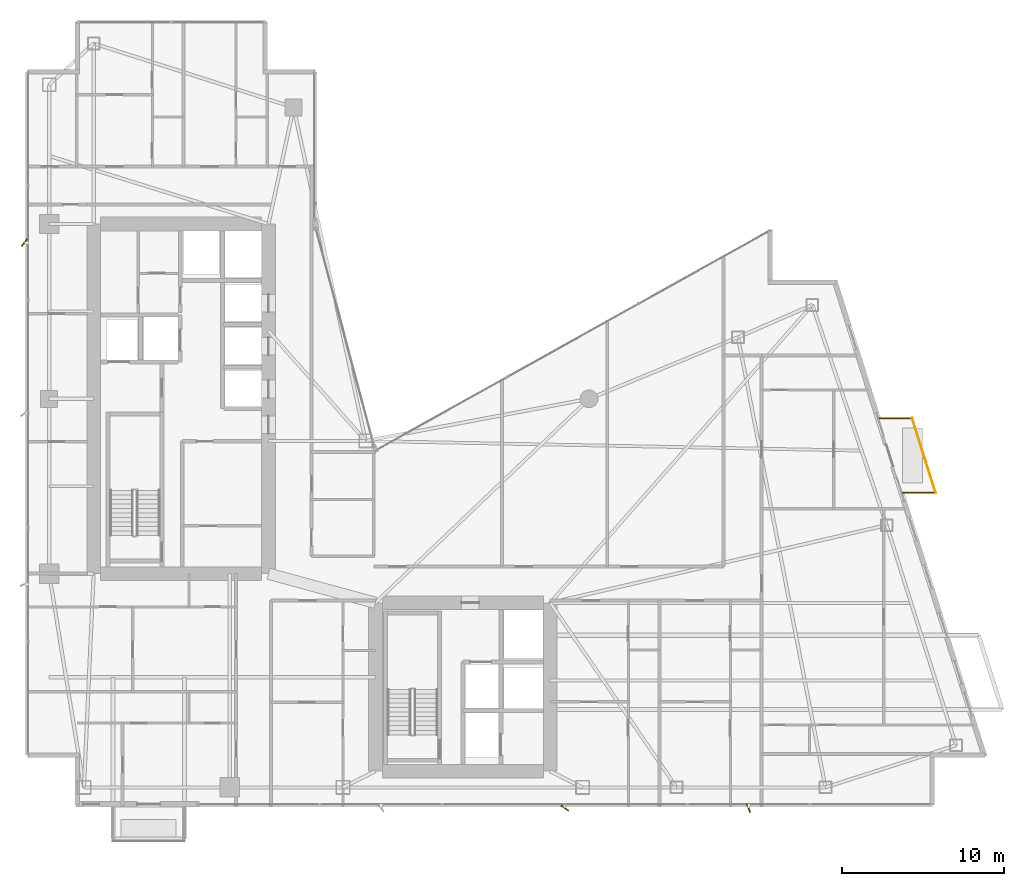
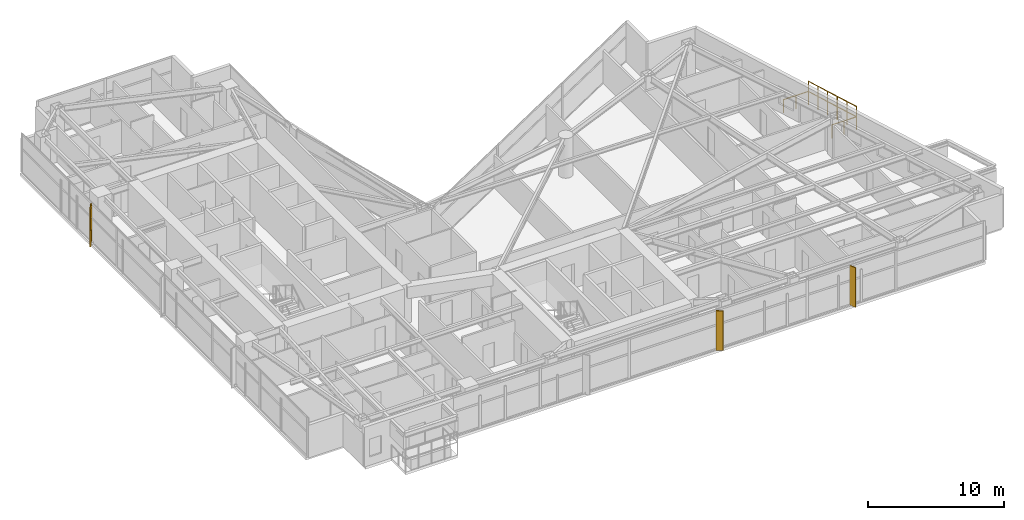
# One storey, part 29 of 29: 3 shading devices, 2 railings.
"""IFC4 building model written with IfcOpenShell, lengths in metres."""

from ifc_helpers import new_model, si_unit, direction, frame, origin, origin_2d, place, context, subcontext, project, spatial, rectangle, circle, extrude, material, type_object, element, save


model = new_model("IFC4")

# Units and contexts
model_context = context("Model", 3, precision=1e-05, world=origin(), true_north=direction((0.0, 1.0)))
body_context = subcontext(model_context, "Body", "Model", "MODEL_VIEW")
ifc_project = project(units=[si_unit("LENGTHUNIT", "METRE"), si_unit("AREAUNIT", "SQUARE_METRE"), si_unit("VOLUMEUNIT", "CUBIC_METRE"), si_unit("PLANEANGLEUNIT", "RADIAN"), si_unit("MASSUNIT", "GRAM", prefix="KILO")], contexts=[model_context])

# Site, building, storey
site_placement = place(None, origin())
site = spatial("IfcSite", under=ifc_project, at=site_placement, CompositionType="ELEMENT")
building_placement = place(site_placement, origin())
building = spatial("IfcBuilding", under=site, at=building_placement, Name="Calvorn Quay Hotel", CompositionType="ELEMENT")
storey_placement = place(building_placement, frame((0.0, 0.0, 163.699951171875)))
storey = spatial("IfcBuildingStorey", under=building, at=storey_placement, Name="L40", CompositionType="ELEMENT", Elevation=163.699951171875)

# Railings
ifc_material_1 = material(Name="Pale Anodised Aluminium and Laminated Glass", Category="aluminium")
railing_type = type_object("IfcRailingType", Name="RLG-BALUSTRADE-1200", PredefinedType="BALUSTRADE", material=ifc_material_1)
railing_1_placement = place(storey_placement, frame((54.10595703125, 21.800048828125, 0.0)))
element("IfcRailing", 1, at=railing_1_placement, inside=storey, type_object=railing_type, Name="Tree Balcony Perimeter Balustrade L40-BALC-E", PredefinedType="BALUSTRADE", context=body_context, shape_type="SweptSolid", body=[
    extrude(circle(Radius=0.02392578125, at=origin_2d()), frame((0.0, 0.0, 1.17578125), z_axis=(1.0, 0.0, 0.0), x_axis=(0.0, 1.0, 0.0)), (0.0, 0.0, 1.0), 2.10009765625),
    extrude(circle(Radius=0.02392578125, at=origin_2d()), frame((2.10009765625, 0.0, 1.17578125), z_axis=(-0.300450487966, 0.953797412599, 0.0), x_axis=(-0.953797412599, -0.300450487966, 0.0)), (0.0, 0.0, 1.0), 4.82275390625),
    extrude(circle(Radius=0.02392578125, at=origin_2d()), frame((0.651123046875, 4.599853515625, 1.17578125), z_axis=(-1.0, 0.0, 0.0), x_axis=(0.0, -1.0, 0.0)), (0.0, 0.0, 1.0), 2.10009765625),
    extrude(circle(Radius=0.02099609375, at=origin_2d()), origin(), (0.0, 0.0, 1.0), 1.15185546875),
    extrude(circle(Radius=0.02099609375, at=origin_2d()), frame((1.050048828125, 0.0, 0.0)), (0.0, 0.0, 1.0), 1.15185546875),
    extrude(circle(Radius=0.02099609375, at=origin_2d()), frame((2.10009765625, 0.0, 0.0)), (0.0, 0.0, 1.0), 1.15185546875),
    extrude(circle(Radius=0.02099609375, at=origin_2d()), frame((1.810302734375, 0.919921875, 0.0)), (0.0, 0.0, 1.0), 1.15185546875),
    extrude(circle(Radius=0.02099609375, at=origin_2d()), frame((1.5205078125, 1.83984375, 0.0)), (0.0, 0.0, 1.0), 1.15185546875),
    extrude(circle(Radius=0.02099609375, at=origin_2d()), frame((1.230712890625, 2.760009765625, 0.0)), (0.0, 0.0, 1.0), 1.15185546875),
    extrude(circle(Radius=0.02099609375, at=origin_2d()), frame((0.94091796875, 3.679931640625, 0.0)), (0.0, 0.0, 1.0), 1.15185546875),
    extrude(circle(Radius=0.02099609375, at=origin_2d()), frame((0.651123046875, 4.599853515625, 0.0)), (0.0, 0.0, 1.0), 1.15185546875),
    extrude(circle(Radius=0.02099609375, at=origin_2d()), frame((-0.39892578125, 4.599853515625, 0.0)), (0.0, 0.0, 1.0), 1.15185546875),
    extrude(circle(Radius=0.02099609375, at=origin_2d()), frame((-1.448974609375, 4.599853515625, 0.0)), (0.0, 0.0, 1.0), 1.15185546875),
])
railing_2_placement = place(storey_placement, frame((56.2060546875, 21.800048828125, 0.900146484375)))
element("IfcRailing", 2, at=railing_2_placement, inside=storey, type_object=railing_type, Name="Planter Kerb High Safety Screen L40-BALC-E", PredefinedType="BALUSTRADE", context=body_context, shape_type="SweptSolid", body=[
    extrude(circle(Radius=0.02392578125, at=origin_2d()), frame((0.0, 0.0, 1.19580078125), z_axis=(-0.300450487966, 0.953797412599, 0.0), x_axis=(-0.953797412599, -0.300450487966, 0.0)), (0.0, 0.0, 1.0), 4.82275390625),
    extrude(circle(Radius=0.02099609375, at=origin_2d()), origin(), (0.0, 0.0, 1.0), 1.171875),
    extrude(circle(Radius=0.02099609375, at=origin_2d()), frame((-0.289794921875, 0.919921875, 0.0)), (0.0, 0.0, 1.0), 1.171875),
    extrude(circle(Radius=0.02099609375, at=origin_2d()), frame((-0.57958984375, 1.83984375, 0.0)), (0.0, 0.0, 1.0), 1.171875),
    extrude(circle(Radius=0.02099609375, at=origin_2d()), frame((-0.869384765625, 2.760009765625, 0.0)), (0.0, 0.0, 1.0), 1.171875),
    extrude(circle(Radius=0.02099609375, at=origin_2d()), frame((-1.1591796875, 3.679931640625, 0.0)), (0.0, 0.0, 1.0), 1.171875),
    extrude(circle(Radius=0.02099609375, at=origin_2d()), frame((-1.448974609375, 4.599853515625, 0.0)), (0.0, 0.0, 1.0), 1.171875),
])

# Shading devices
ifc_material_2 = material(Name="Champagne Bronze Anodised Aluminium 6063-T6", Category="aluminium")
shading_device_type_1 = type_object("IfcShadingDeviceType", Name="SHD-FIN-A1", PredefinedType="USERDEFINED", material=ifc_material_2)
shading_device_placement = place(storey_placement, frame((44.64990234375, 2.320068359375, 0.0), z_axis=(0.0, 0.0, 1.0), x_axis=(-0.374606593416, 0.927183854567, 0.0)))
element("IfcShadingDevice", 3, at=shading_device_placement, inside=storey, type_object=shading_device_type_1, Name="Diagonal Sun-Shading Fin L40-S03", ObjectType="FIN", PredefinedType="USERDEFINED", context=body_context, shape_type="SweptSolid", body=[
    extrude(rectangle(XDim=0.550048828125, YDim=0.080078125, at=origin_2d()), origin(), (0.0, 0.0, 1.0), 3.56005859375),
])
ifc_material_3 = material(Name="Champagne Bronze Anodised Aluminium 6063-T6", Category="aluminium")
shading_device_type_2 = type_object("IfcShadingDeviceType", Name="SHD-FIN-A3", PredefinedType="USERDEFINED", material=ifc_material_3)
for number, where, z_axis, x_axis, name in (
    (4, (-0.080078125, 37.25, 0.0), (0.0, 0.0, 1.0), (0.587785252292, 0.809016994375, 0.0), "Diagonal Sun-Shading Fin L40-W03"),
    (5, (33.300048828125, 2.320068359375, 0.0), (0.0, 0.0, 1.0), (-0.809016994375, 0.587785252292, 0.0), "Diagonal Sun-Shading Fin L40-S02"),
):
    element("IfcShadingDevice", number, at=place(storey_placement, frame(where, z_axis=z_axis, x_axis=x_axis)), inside=storey, type_object=shading_device_type_2, Name=name, ObjectType="FIN", PredefinedType="USERDEFINED", context=body_context, shape_type="SweptSolid", body=[
        extrude(rectangle(XDim=0.550048828125, YDim=0.080078125, at=origin_2d()), origin(), (0.0, 0.0, 1.0), 3.56005859375),
    ])

save(model, "model.ifc")
